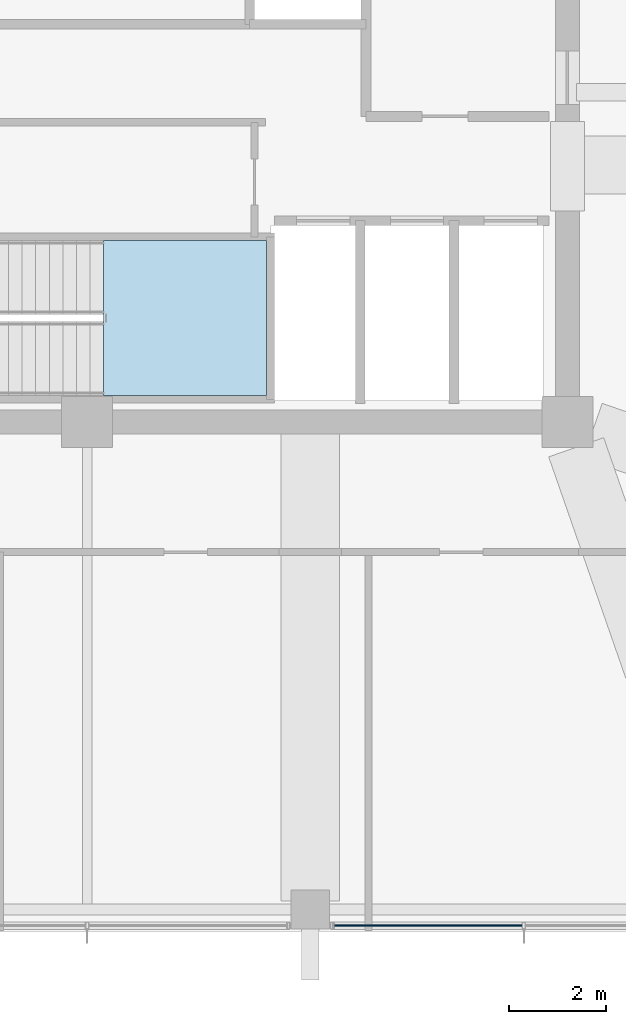
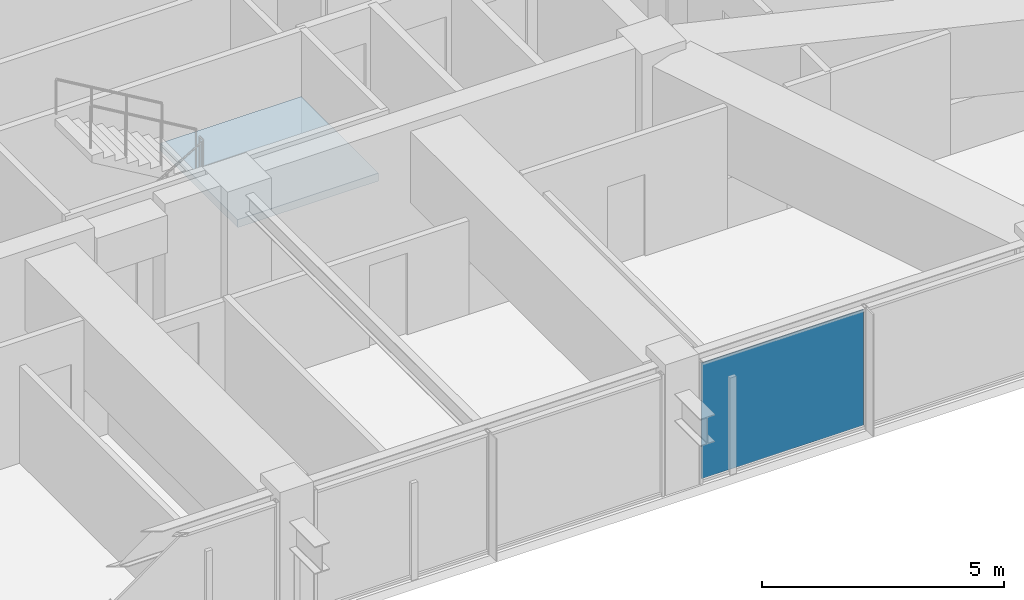
# One storey, part 23 of 35: 1 plate, 1 slab, 2 elements without a shape of their own.
"""IFC4 building model written with IfcOpenShell, lengths in metres."""

from ifc_helpers import new_model, si_unit, direction, frame, origin, origin_2d, place, context, subcontext, project, spatial, polyline, rectangle, outline, extrude, material, layer, layer_set, type_object, element, aggregate, save


model = new_model("IFC4")

# Units and contexts
model_context = context("Model", 3, precision=1e-05, world=origin(), true_north=direction((0.0, 1.0)))
body_context = subcontext(model_context, "Body", "Model", "MODEL_VIEW")
ifc_project = project(units=[si_unit("LENGTHUNIT", "METRE"), si_unit("AREAUNIT", "SQUARE_METRE"), si_unit("VOLUMEUNIT", "CUBIC_METRE"), si_unit("PLANEANGLEUNIT", "RADIAN"), si_unit("MASSUNIT", "GRAM", prefix="KILO")], contexts=[model_context])

# Site, building, storey
site_placement = place(None, origin())
site = spatial("IfcSite", under=ifc_project, at=site_placement, CompositionType="ELEMENT")
building_placement = place(site_placement, origin())
building = spatial("IfcBuilding", under=site, at=building_placement, Name="Kolvaren Belvedere", CompositionType="ELEMENT")
storey_placement = place(building_placement, frame((0.0, 0.0, 203.10009765625)))
storey = spatial("IfcBuildingStorey", under=building, at=storey_placement, Name="L59", CompositionType="ELEMENT", Elevation=203.10009765625)

# Curtain wall, plate
ifc_material_1 = material(Name="Anodised pale-metal aluminium AA 6063-T6", Category="aluminium")
curtain_wall_type = type_object("IfcCurtainWallType", Name="CW-Z5-HIGH", PredefinedType="NOTDEFINED", material=ifc_material_1)
curtain_wall_placement = place(storey_placement, origin())
curtain_wall = element("IfcCurtainWall", 1, at=curtain_wall_placement, inside=storey, type_object=curtain_wall_type, Name="L59 Unitised Curtain Wall FCW-L59-S-B1", PredefinedType="NOTDEFINED")
ifc_material_2 = material(Name="Low-iron triple insulated glass", Category="glass")
ifc_layer_1 = layer(ifc_material_2, 0.028076171875)
ifc_layer_set_1 = layer_set([ifc_layer_1], Name="Low-iron triple insulated glass")
plate_type = type_object("IfcPlateType", Name="CW-PNL-VIS28", PredefinedType="CURTAIN_PANEL", material=ifc_layer_set_1)
plate_placement = place(storey_placement, frame((7.027587890625, -20.280029296875, 0.079833984375), z_axis=(0.0, 0.0, 1.0), x_axis=(-1.0, 0.0, 0.0)))
plate = element("IfcPlate", 2, at=plate_placement, type_object=plate_type, Name="FCW-L59-S-B1 Vision Glazing Panel 2", PredefinedType="CURTAIN_PANEL", context=body_context, shape_type="SweptSolid", body=[
    extrude(rectangle(XDim=3.864990234375, YDim=0.028076171875, at=origin_2d()), origin(), (0.0, 0.0, 1.0), 2.919921875),
])
aggregate(curtain_wall, [plate])

# Stair, slab
ifc_material_3 = material(Name="Concrete C50/60", Category="concrete")
stair_type = type_object("IfcStairType", Name="ST-CORE-1520", PredefinedType="HALF_TURN_STAIR", material=ifc_material_3)
stair_placement = place(storey_placement, origin())
stair = element("IfcStair", 3, at=stair_placement, inside=storey, type_object=stair_type, Name="L59 Protected Exit Stair ST-3", PredefinedType="HALF_TURN_STAIR")
ifc_material_4 = material(Name="Concrete C50/60", Category="concrete")
ifc_layer_2 = layer(ifc_material_4, 0.260009765625)
ifc_layer_set_2 = layer_set([ifc_layer_2], Name="Concrete C50/60")
slab_type = type_object("IfcSlabType", Name="SL-LAND-260", PredefinedType="LANDING", material=ifc_layer_set_2)
slab_placement = place(storey_placement, frame((0.0, 0.0, 1.449951171875)))
slab = element("IfcSlab", 4, at=slab_placement, type_object=slab_type, Name="ST-3 landing 1", PredefinedType="LANDING", context=body_context, shape_type="SweptSolid", body=[
    extrude(outline(polyline([(0.340087890625, -9.35009765625), (3.699951171875, -9.35009765625), (3.699951171875, -6.159912109375), (0.340087890625, -6.159912109375), (0.340087890625, -9.35009765625)])), origin(), (0.0, 0.0, 1.0), 0.199951171875),
])
aggregate(stair, [slab])

save(model, "model.ifc")
